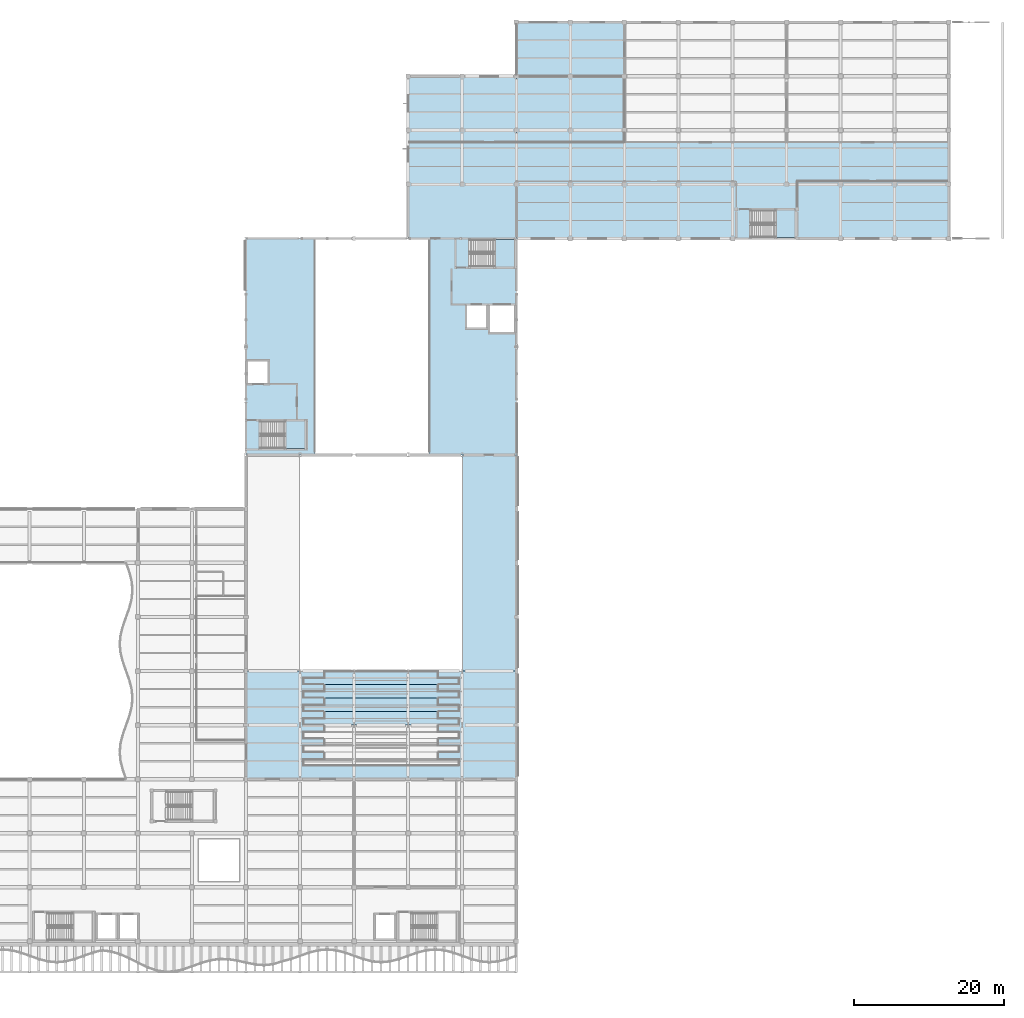
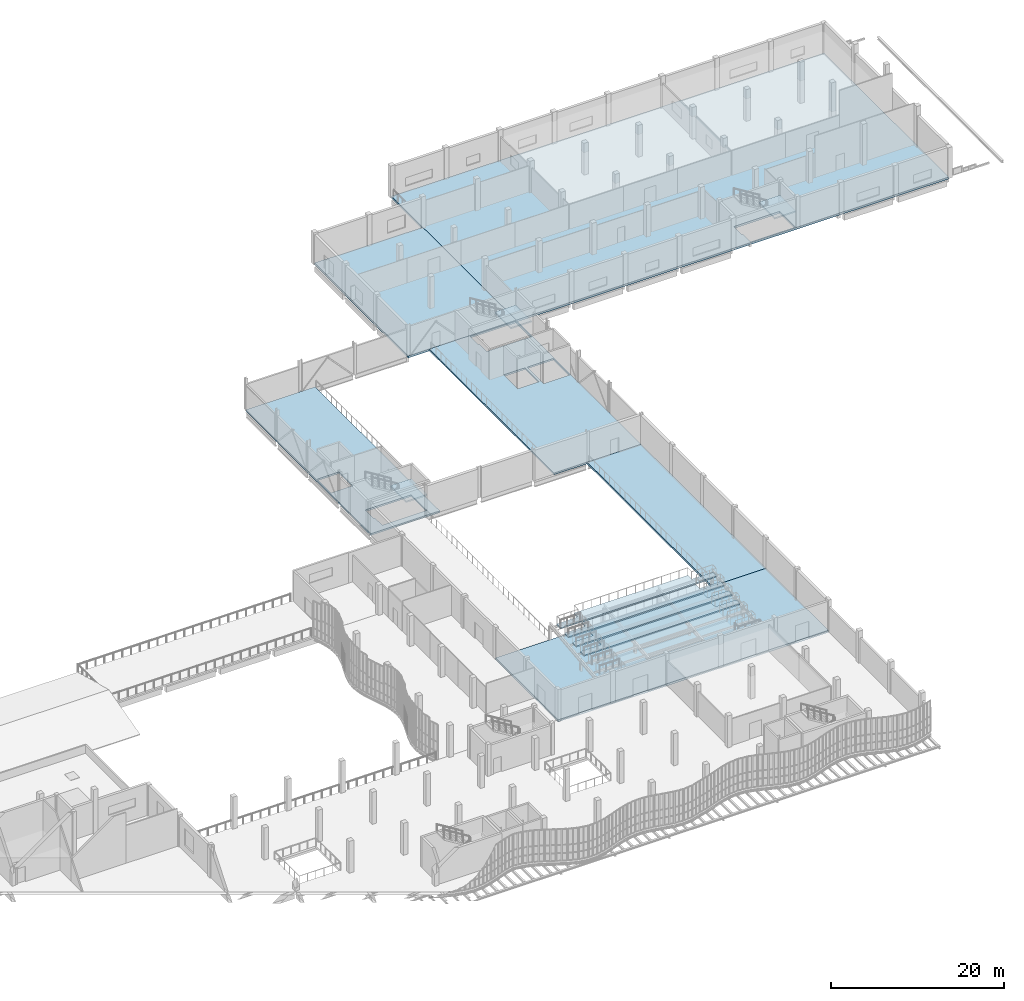
# One storey, part 83 of 105: 13 slabs, 3 elements without a shape of their own.
"""IFC4 building model written with IfcOpenShell, lengths in metres."""

from ifc_helpers import new_model, si_unit, direction, frame, origin, place, context, subcontext, project, spatial, polyline, outline, extrude, material, layer, layer_set, type_object, element, aggregate, save


model = new_model("IFC4")

# Units and contexts
model_context = context("Model", 3, precision=1e-05, world=origin(), true_north=direction((0.0, 1.0)))
body_context = subcontext(model_context, "Body", "Model", "MODEL_VIEW")
ifc_project = project(units=[si_unit("LENGTHUNIT", "METRE"), si_unit("AREAUNIT", "SQUARE_METRE"), si_unit("VOLUMEUNIT", "CUBIC_METRE"), si_unit("PLANEANGLEUNIT", "RADIAN"), si_unit("MASSUNIT", "GRAM", prefix="KILO"), si_unit("THERMODYNAMICTEMPERATUREUNIT", "KELVIN"), si_unit("POWERUNIT", "WATT")], contexts=[model_context])

# Site, building, storey
site_placement = place(None, origin())
site = spatial("IfcSite", under=ifc_project, at=site_placement, CompositionType="ELEMENT")
building_placement = place(site_placement, origin())
building = spatial("IfcBuilding", under=site, at=building_placement, Name="Kaldorven Railside Theatre", CompositionType="ELEMENT")
storey_placement = place(building_placement, frame((0.0, 0.0, 9.89990234375)))
storey = spatial("IfcBuildingStorey", under=building, at=storey_placement, Name="L02", CompositionType="ELEMENT", Elevation=9.89990234375)

# Slabs
ifc_material = material(Name="Concrete C35/45", Category="concrete")
ifc_layer_1 = layer(ifc_material, 0.239990234375, Name="Concrete C35/45")
ifc_layer_set_1 = layer_set([ifc_layer_1], Name="Concrete C35/45")
slab_type_1 = type_object("IfcSlabType", Name="SLB-FSL-240", PredefinedType="FLOOR", material=ifc_layer_set_1)
slab_1_placement = place(storey_placement, frame((0.0, 0.0, -0.239990234375)))
element("IfcSlab", 1, at=slab_1_placement, inside=storey, type_object=slab_type_1, Name="L02 Floor Slab SL-L02-V2W", PredefinedType="FLOOR", context=body_context, shape_type="SweptSolid", body=[
    extrude(outline(polyline([(87.199951171875, 84.0), (96.39990234375, 84.0), (96.39990234375, 112.800048828125), (87.199951171875, 112.800048828125), (87.199951171875, 84.0)]), holes=[polyline([(89.050048828125, 88.449951171875), (95.14990234375, 88.449951171875), (95.14990234375, 84.85009765625), (89.199951171875, 84.85009765625), (89.199951171875, 86.570068359375), (89.050048828125, 86.570068359375), (89.050048828125, 88.449951171875)]), polyline([(90.25, 93.39990234375), (90.25, 96.60009765625), (87.35009765625, 96.60009765625), (87.35009765625, 93.39990234375), (90.25, 93.39990234375)])]), origin(), (0.0, 0.0, 1.0), 0.239990234375),
])
slab_2_placement = place(storey_placement, frame((0.0, 0.0, -0.239990234375)))
element("IfcSlab", 2, at=slab_2_placement, inside=storey, type_object=slab_type_1, Name="L02 Floor Slab SL-L02-V2E", PredefinedType="FLOOR", context=body_context, shape_type="SweptSolid", body=[
    extrude(outline(polyline([(111.60009765625, 84.0), (123.199951171875, 84.0), (123.199951171875, 112.800048828125), (111.60009765625, 112.800048828125), (111.60009765625, 84.0)]), holes=[polyline([(116.949951171875, 112.64990234375), (123.050048828125, 112.64990234375), (123.050048828125, 109.050048828125), (117.10009765625, 109.050048828125), (117.10009765625, 110.77001953125), (116.949951171875, 110.77001953125), (116.949951171875, 112.64990234375)]), polyline([(119.300048828125, 100.800048828125), (119.300048828125, 104.0), (116.5, 104.0), (116.5, 100.800048828125), (119.300048828125, 100.800048828125)]), polyline([(123.050048828125, 100.199951171875), (123.050048828125, 104.0), (119.580078125, 104.0), (119.580078125, 100.199951171875), (123.050048828125, 100.199951171875)])]), origin(), (0.0, 0.0, 1.0), 0.239990234375),
])
ifc_layer_2 = layer(ifc_material, 0.280029296875, Name="Concrete C35/45")
ifc_layer_set_2 = layer_set([ifc_layer_2], Name="Concrete C35/45")
slab_type_2 = type_object("IfcSlabType", Name="SLB-FSL-280", PredefinedType="FLOOR", material=ifc_layer_set_2)
slab_3_placement = place(storey_placement, frame((0.0, 0.0, -0.27978515625)))
element("IfcSlab", 3, at=slab_3_placement, inside=storey, type_object=slab_type_2, Name="L02 Floor Slab SL-L02-V1E", PredefinedType="FLOOR", context=body_context, shape_type="SweptSolid", body=[
    extrude(outline(polyline([(116.0, 55.199951171875), (123.199951171875, 55.199951171875), (123.199951171875, 84.0), (116.0, 84.0), (116.0, 55.199951171875)])), origin(), (0.0, 0.0, 1.0), 0.27978515625),
])
slab_4_placement = place(storey_placement, frame((0.0, 0.0, -0.27978515625)))
element("IfcSlab", 4, at=slab_4_placement, inside=storey, type_object=slab_type_2, Name="L02 Floor Slab SL-L02-V6", PredefinedType="FLOOR", context=body_context, shape_type="SweptSolid", body=[
    extrude(outline(polyline([(123.199951171875, 112.800048828125), (180.800048828125, 112.800048828125), (180.800048828125, 141.60009765625), (123.199951171875, 141.60009765625), (123.199951171875, 112.800048828125)]), holes=[polyline([(154.35009765625, 116.550048828125), (160.449951171875, 116.550048828125), (160.449951171875, 112.949951171875), (154.5, 112.949951171875), (154.5, 114.669921875), (154.35009765625, 114.669921875), (154.35009765625, 116.550048828125)])]), origin(), (0.0, 0.0, 1.0), 0.27978515625),
])
slab_5_placement = place(storey_placement, frame((0.0, 0.0, -0.27978515625)))
element("IfcSlab", 5, at=slab_5_placement, inside=storey, type_object=slab_type_2, Name="L02 Floor Slab SL-L02-V6L", PredefinedType="FLOOR", context=body_context, shape_type="SweptSolid", body=[
    extrude(outline(polyline([(108.800048828125, 112.800048828125), (123.199951171875, 112.800048828125), (123.199951171875, 134.39990234375), (108.800048828125, 134.39990234375), (108.800048828125, 112.800048828125)])), origin(), (0.0, 0.0, 1.0), 0.27978515625),
])
ifc_layer_3 = layer(ifc_material, 0.300048828125, Name="Concrete C35/45")
ifc_layer_set_3 = layer_set([ifc_layer_3], Name="Concrete C35/45")
slab_type_3 = type_object("IfcSlabType", Name="SLB-FSL-300", PredefinedType="FLOOR", material=ifc_layer_set_3)
slab_6_placement = place(storey_placement, frame((0.0, 0.0, -0.2998046875)))
element("IfcSlab", 6, at=slab_6_placement, inside=storey, type_object=slab_type_3, Name="L02 Floor Slab SL-L02-V1", PredefinedType="FLOOR", context=body_context, shape_type="SweptSolid", body=[
    extrude(outline(polyline([(87.199951171875, 40.800048828125), (123.199951171875, 40.800048828125), (123.199951171875, 55.199951171875), (87.199951171875, 55.199951171875), (87.199951171875, 40.800048828125)])), origin(), (0.0, 0.0, 1.0), 0.2998046875),
])

# Stair, slab
stair_type = type_object("IfcStairType", Name="STR-DL-03", PredefinedType="HALF_TURN_STAIR", material=ifc_material)
stair_1_placement = place(storey_placement, origin())
stair_1 = element("IfcStair", 7, at=stair_1_placement, inside=storey, type_object=stair_type, Name="L02 Core C-STW Escape Stair ST-05", PredefinedType="HALF_TURN_STAIR")
ifc_layer_4 = layer(ifc_material, 0.199951171875, Name="Concrete C35/45")
ifc_layer_set_4 = layer_set([ifc_layer_4], Name="Concrete C35/45")
slab_type_4 = type_object("IfcSlabType", Name="SLB-LSL-200", PredefinedType="LANDING", material=ifc_layer_set_4)
slab_7_placement = place(storey_placement, frame((0.0, 0.0, 2.050048828125)))
slab_7 = element("IfcSlab", 8, at=slab_7_placement, type_object=slab_type_4, Name="ST-05 landing 1", PredefinedType="LANDING", context=body_context, shape_type="SweptSolid", body=[
    extrude(outline(polyline([(92.385009765625, 84.820068359375), (95.179931640625, 84.820068359375), (95.179931640625, 88.47998046875), (92.385009765625, 88.47998046875), (92.385009765625, 84.820068359375)])), origin(), (0.0, 0.0, 1.0), 0.199951171875),
])
aggregate(stair_1, [slab_7])

stair_2_placement = place(storey_placement, origin())
stair_2 = element("IfcStair", 9, at=stair_2_placement, inside=storey, type_object=stair_type, Name="L02 Core C-STE Escape Stair ST-06", PredefinedType="HALF_TURN_STAIR")
slab_8_placement = place(storey_placement, frame((0.0, 0.0, 2.050048828125)))
slab_8 = element("IfcSlab", 10, at=slab_8_placement, type_object=slab_type_4, Name="ST-06 landing 1", PredefinedType="LANDING", context=body_context, shape_type="SweptSolid", body=[
    extrude(outline(polyline([(120.284912109375, 109.02001953125), (123.080078125, 109.02001953125), (123.080078125, 112.679931640625), (120.284912109375, 112.679931640625), (120.284912109375, 109.02001953125)])), origin(), (0.0, 0.0, 1.0), 0.199951171875),
])
aggregate(stair_2, [slab_8])

stair_3_placement = place(storey_placement, origin())
stair_3 = element("IfcStair", 11, at=stair_3_placement, inside=storey, type_object=stair_type, Name="L02 East Backstage Escape Stair", PredefinedType="HALF_TURN_STAIR")
slab_9_placement = place(storey_placement, frame((0.0, 0.0, 2.050048828125)))
slab_9 = element("IfcSlab", 12, at=slab_9_placement, type_object=slab_type_4, Name="ST-08 landing 1", PredefinedType="LANDING", context=body_context, shape_type="SweptSolid", body=[
    extrude(outline(polyline([(157.68505859375, 112.919921875), (160.47998046875, 112.919921875), (160.47998046875, 116.580078125), (157.68505859375, 116.580078125), (157.68505859375, 112.919921875)])), origin(), (0.0, 0.0, 1.0), 0.199951171875),
])
aggregate(stair_3, [slab_9])

# Slabs
ifc_layer_5 = layer(ifc_material, 0.179931640625, Name="Concrete C35/45")
ifc_layer_set_5 = layer_set([ifc_layer_5], Name="Concrete C35/45")
slab_type_5 = type_object("IfcSlabType", Name="SLB-TIER-180", PredefinedType="USERDEFINED", material=ifc_layer_set_5)
slab_10_placement = place(storey_placement, frame((0.0, 0.0, 1.8701171875)))
element("IfcSlab", 13, at=slab_10_placement, inside=storey, type_object=slab_type_5, Name="V1U Seating Tier 05", ObjectType="SEATING TIER", PredefinedType="USERDEFINED", context=body_context, shape_type="SweptSolid", body=[
    extrude(outline(polyline([(94.800048828125, 48.0), (115.60009765625, 48.0), (115.60009765625, 48.89990234375), (112.800048828125, 48.89990234375), (112.800048828125, 49.800048828125), (97.60009765625, 49.800048828125), (97.60009765625, 48.89990234375), (94.800048828125, 48.89990234375), (94.800048828125, 48.0)])), origin(), (0.0, 0.0, 1.0), 0.179931640625),
])
slab_11_placement = place(storey_placement, frame((0.0, 0.0, 2.070068359375)))
element("IfcSlab", 14, at=slab_11_placement, inside=storey, type_object=slab_type_5, Name="V1U Seating Tier 06", ObjectType="SEATING TIER", PredefinedType="USERDEFINED", context=body_context, shape_type="SweptSolid", body=[
    extrude(outline(polyline([(94.800048828125, 49.800048828125), (115.60009765625, 49.800048828125), (115.60009765625, 50.699951171875), (112.800048828125, 50.699951171875), (112.800048828125, 51.60009765625), (97.60009765625, 51.60009765625), (97.60009765625, 50.699951171875), (94.800048828125, 50.699951171875), (94.800048828125, 49.800048828125)])), origin(), (0.0, 0.0, 1.0), 0.179931640625),
])
slab_12_placement = place(storey_placement, frame((0.0, 0.0, 2.27001953125)))
element("IfcSlab", 15, at=slab_12_placement, inside=storey, type_object=slab_type_5, Name="V1U Seating Tier 07", ObjectType="SEATING TIER", PredefinedType="USERDEFINED", context=body_context, shape_type="SweptSolid", body=[
    extrude(outline(polyline([(94.800048828125, 51.60009765625), (115.60009765625, 51.60009765625), (115.60009765625, 52.5), (112.800048828125, 52.5), (112.800048828125, 53.39990234375), (97.60009765625, 53.39990234375), (97.60009765625, 52.5), (94.800048828125, 52.5), (94.800048828125, 51.60009765625)])), origin(), (0.0, 0.0, 1.0), 0.18017578125),
])
slab_13_placement = place(storey_placement, frame((0.0, 0.0, 2.47021484375)))
element("IfcSlab", 16, at=slab_13_placement, inside=storey, type_object=slab_type_5, Name="V1U Seating Tier 08", ObjectType="SEATING TIER", PredefinedType="USERDEFINED", context=body_context, shape_type="SweptSolid", body=[
    extrude(outline(polyline([(94.800048828125, 53.39990234375), (115.60009765625, 53.39990234375), (115.60009765625, 54.300048828125), (112.800048828125, 54.300048828125), (112.800048828125, 55.199951171875), (97.60009765625, 55.199951171875), (97.60009765625, 54.300048828125), (94.800048828125, 54.300048828125), (94.800048828125, 53.39990234375)])), origin(), (0.0, 0.0, 1.0), 0.179931640625),
])

save(model, "model.ifc")
